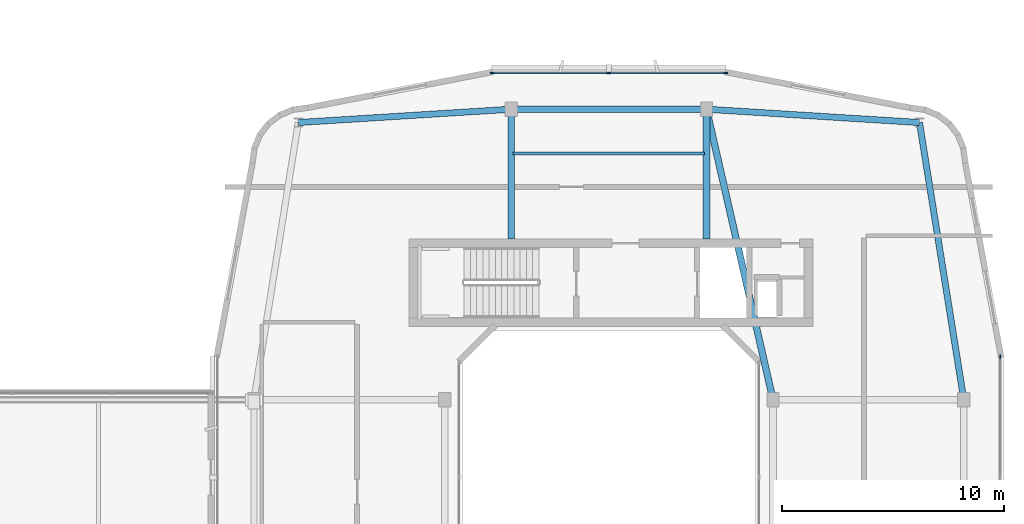
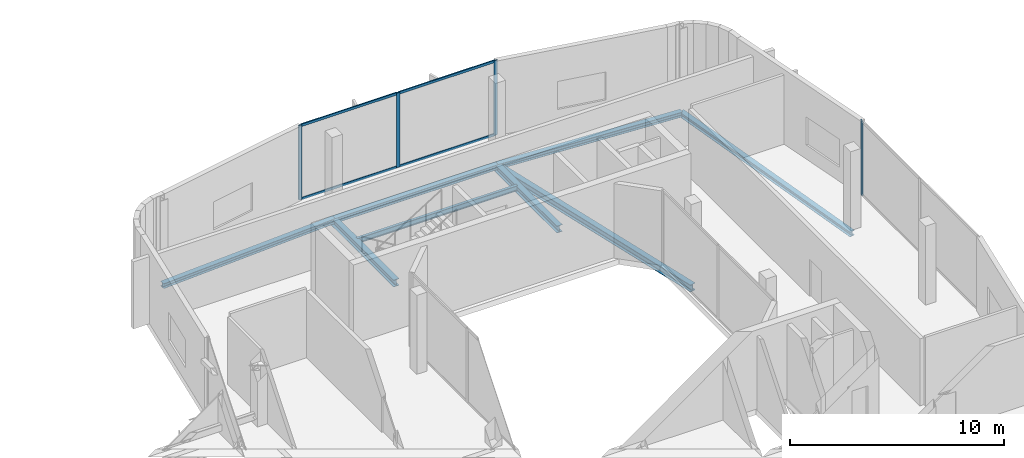
# One storey, part 11 of 24: 8 beams, 8 members, 2 elements without a shape of their own.
"""IFC4 building model written with IfcOpenShell, lengths in metres."""

from ifc_helpers import new_model, si_unit, derived_unit, direction, frame, origin, origin_2d, place, context, subcontext, project, spatial, rectangle, i_section, extrude, material, layer, layer_set, material_profile, profile_set, type_object, element, aggregate, save


model = new_model("IFC4")

# Units and contexts
model_context = context("Model", 3, precision=1e-05, world=origin(), true_north=direction((0.0, 1.0)))
body_context = subcontext(model_context, "Body", "Model", "MODEL_VIEW")
ifc_project = project(units=[si_unit("LENGTHUNIT", "METRE"), si_unit("AREAUNIT", "SQUARE_METRE"), si_unit("VOLUMEUNIT", "CUBIC_METRE"), si_unit("PLANEANGLEUNIT", "RADIAN"), si_unit("MASSUNIT", "GRAM", prefix="KILO"), derived_unit("THERMALTRANSMITTANCEUNIT", [(si_unit("POWERUNIT", "WATT"), 1), (si_unit("LENGTHUNIT", "METRE"), -2), (si_unit("THERMODYNAMICTEMPERATUREUNIT", "KELVIN"), -1)])], contexts=[model_context])

# Site, building, storey
site_placement = place(None, origin())
site = spatial("IfcSite", under=ifc_project, at=site_placement, CompositionType="ELEMENT")
building_placement = place(site_placement, origin())
building = spatial("IfcBuilding", under=site, at=building_placement, Name="Kivonza Crest Hotel", CompositionType="ELEMENT")
storey_placement = place(building_placement, frame((0.0, 0.0, 119.5)))
storey = spatial("IfcBuildingStorey", under=building, at=storey_placement, Name="L32", CompositionType="ELEMENT", Elevation=119.5)

# Beams
ifc_material_1 = material(Name="Steel S355", Category="steel")
ifc_material_profile_1 = material_profile(ifc_material_1, i_section(OverallWidth=0.280029296875, OverallDepth=0.280029296875, WebThickness=0.010498046875, FlangeThickness=0.01806640625, FilletRadius=0.02392578125, at=origin_2d()), Name="HEB 280")
ifc_profile_set_1 = profile_set([ifc_material_profile_1], Name="Steel S355")
beam_type_1 = type_object("IfcBeamType", Name="BM-HEB280", PredefinedType="SPANDREL", material=ifc_profile_set_1)
beam_1_placement = place(storey_placement, frame((93.0, 28.5, -0.4599609375), z_axis=(-0.157990501107, 0.987440631917, 0.0), x_axis=(-0.987440631917, -0.157990501107, 0.0)))
element("IfcBeam", 1, at=beam_1_placement, inside=storey, type_object=beam_type_1, Name="Companion Tower T2 L32 perimeter spandrel E2-NE", PredefinedType="SPANDREL", context=body_context, shape_type="SweptSolid", body=[
    extrude(i_section(OverallWidth=0.280029296875, OverallDepth=0.280029296875, WebThickness=0.010498046875, FlangeThickness=0.01806640625, FilletRadius=0.02392578125, at=origin_2d()), origin(), (0.0, 0.0, 1.0), 12.658935546875),
])
beam_2_placement = place(storey_placement, frame((91.0, 41.0, -0.4599609375), z_axis=(-0.998051985873, 0.062387767186, 0.0), x_axis=(-0.062387767186, -0.998051985873, 0.0)))
element("IfcBeam", 2, at=beam_2_placement, inside=storey, type_object=beam_type_1, Name="Companion Tower T2 L32 perimeter spandrel NE-N2", PredefinedType="SPANDREL", context=body_context, shape_type="SweptSolid", body=[
    extrude(i_section(OverallWidth=0.280029296875, OverallDepth=0.280029296875, WebThickness=0.010498046875, FlangeThickness=0.01806640625, FilletRadius=0.02392578125, at=origin_2d()), origin(), (0.0, 0.0, 1.0), 9.618896484375),
])
beam_3_placement = place(storey_placement, frame((81.39990234375, 41.60009765625, -0.4599609375), z_axis=(-1.0, 0.0, 0.0), x_axis=(0.0, -1.0, 0.0)))
element("IfcBeam", 3, at=beam_3_placement, inside=storey, type_object=beam_type_1, Name="Companion Tower T2 L32 perimeter spandrel N2-N1", PredefinedType="SPANDREL", context=body_context, shape_type="SweptSolid", body=[
    extrude(i_section(OverallWidth=0.280029296875, OverallDepth=0.280029296875, WebThickness=0.010498046875, FlangeThickness=0.01806640625, FilletRadius=0.02392578125, at=origin_2d()), origin(), (0.0, 0.0, 1.0), 8.7998046875),
])
beam_4_placement = place(storey_placement, frame((72.60009765625, 41.60009765625, -0.4599609375), z_axis=(-0.998051985873, -0.062387767186, 0.0), x_axis=(0.062387767186, -0.998051985873, 0.0)))
element("IfcBeam", 4, at=beam_4_placement, inside=storey, type_object=beam_type_1, Name="Companion Tower T2 L32 perimeter spandrel N1-NW", PredefinedType="SPANDREL", context=body_context, shape_type="SweptSolid", body=[
    extrude(i_section(OverallWidth=0.280029296875, OverallDepth=0.280029296875, WebThickness=0.010498046875, FlangeThickness=0.01806640625, FilletRadius=0.02392578125, at=origin_2d()), origin(), (0.0, 0.0, 1.0), 9.618896484375),
])
ifc_material_profile_2 = material_profile(ifc_material_1, i_section(OverallWidth=0.300048828125, OverallDepth=0.39990234375, WebThickness=0.013427734375, FlangeThickness=0.02392578125, FilletRadius=0.027099609375, at=origin_2d()), Name="HEB 400")
ifc_profile_set_2 = profile_set([ifc_material_profile_2], Name="Steel S355")
beam_type_2 = type_object("IfcBeamType", Name="BM-HEB400", PredefinedType="BEAM", material=ifc_profile_set_2)
beam_5_placement = place(storey_placement, frame((84.39990234375, 28.5, -0.52001953125), z_axis=(-0.223227287589, 0.974766422317, 0.0), x_axis=(-0.974766422317, -0.223227287589, 0.0)))
element("IfcBeam", 5, at=beam_5_placement, inside=storey, type_object=beam_type_2, Name="Companion Tower T2 L32 girder WR2-N2", PredefinedType="BEAM", context=body_context, shape_type="SweptSolid", body=[
    extrude(i_section(OverallWidth=0.300048828125, OverallDepth=0.39990234375, WebThickness=0.013427734375, FlangeThickness=0.02392578125, FilletRadius=0.027099609375, at=origin_2d()), origin(), (0.0, 0.0, 1.0), 13.439208984375),
])
for number, where, z_axis, x_axis, name in (
    (6, (72.60009765625, 41.60009765625, -0.52001953125), (0.0, -1.0, 0.0), (1.0, 0.0, 0.0), "Companion T2 L32 radial core girder RN1"),
    (7, (81.39990234375, 41.60009765625, -0.52001953125), (0.0, -1.0, 0.0), (1.0, 0.0, 0.0), "Companion T2 L32 radial core girder RN2"),
):
    element("IfcBeam", number, at=place(storey_placement, frame(where, z_axis=z_axis, x_axis=x_axis)), inside=storey, type_object=beam_type_2, Name=name, PredefinedType="BEAM", context=body_context, shape_type="SweptSolid", body=[
        extrude(i_section(OverallWidth=0.300048828125, OverallDepth=0.39990234375, WebThickness=0.013427734375, FlangeThickness=0.02392578125, FilletRadius=0.027099609375, at=origin_2d()), origin(), (0.0, 0.0, 1.0), 5.85009765625),
    ])
ifc_material_profile_3 = material_profile(ifc_material_1, i_section(OverallWidth=0.14990234375, OverallDepth=0.300048828125, WebThickness=0.007080078125, FlangeThickness=0.0107421875, FilletRadius=0.014892578125, at=origin_2d()), Name="IPE 300")
ifc_profile_set_3 = profile_set([ifc_material_profile_3], Name="Steel S355")
beam_type_3 = type_object("IfcBeamType", Name="BM-IPE300", PredefinedType="JOIST", material=ifc_profile_set_3)
beam_6_placement = place(storey_placement, frame((72.679931640625, 39.60009765625, -0.469970703125), z_axis=(1.0, 0.0, 0.0), x_axis=(0.0, 1.0, 0.0)))
element("IfcBeam", 8, at=beam_6_placement, inside=storey, type_object=beam_type_3, Name="Companion Tower T2 L32 North floor joist", PredefinedType="JOIST", context=body_context, shape_type="SweptSolid", body=[
    extrude(i_section(OverallWidth=0.14990234375, OverallDepth=0.300048828125, WebThickness=0.007080078125, FlangeThickness=0.0107421875, FilletRadius=0.014892578125, at=origin_2d()), origin(), (0.0, 0.0, 1.0), 8.64013671875),
])

# Curtain wall, member
ifc_material_2 = material(Name="Anodised bronze aluminium and low-E double glazing", Category="aluminium")
ifc_layer = layer(ifc_material_2, 0.179931640625)
ifc_layer_set = layer_set([ifc_layer], Name="Anodised bronze aluminium and low-E double glazing")
curtain_wall_type = type_object("IfcCurtainWallType", Name="CW-SYS-4", PredefinedType="NOTDEFINED", material=ifc_layer_set)
curtain_wall_1_placement = place(storey_placement, origin())
curtain_wall_1 = element("IfcCurtainWall", 9, at=curtain_wall_1_placement, inside=storey, type_object=curtain_wall_type, Name="L32 unitised curtain wall CW-T2-L32-17", PredefinedType="NOTDEFINED")
ifc_material_3 = material(Name="Anodised bronze aluminium", Category="aluminium")
ifc_material_profile_4 = material_profile(ifc_material_3, rectangle(XDim=0.06494140625, YDim=0.179931640625, at=origin_2d()), Name="CW-M 65x180")
ifc_profile_set_4 = profile_set([ifc_material_profile_4], Name="Anodised bronze aluminium")
member_type_1 = type_object("IfcMemberType", Name="CW-MUL-65x180", PredefinedType="MULLION", material=ifc_profile_set_4)
member_1_placement = place(storey_placement, frame((94.639892578125, 30.447509765625, 0.0), z_axis=(0.0, 0.0, 1.0), x_axis=(-1.0, 0.0, 0.0)))
member_1 = element("IfcMember", 10, at=member_1_placement, type_object=member_type_1, Name="CW-4 mullion 3", PredefinedType="MULLION", context=body_context, shape_type="SweptSolid", body=[
    extrude(rectangle(XDim=0.06494140625, YDim=0.179931640625, at=origin_2d()), origin(), (0.0, 0.0, 1.0), 4.25),
])
aggregate(curtain_wall_1, [member_1])

# Curtain wall, members
curtain_wall_2_placement = place(storey_placement, origin())
curtain_wall_2 = element("IfcCurtainWall", 11, at=curtain_wall_2_placement, inside=storey, type_object=curtain_wall_type, Name="L32 unitised curtain wall CW-T2-L32-26", PredefinedType="NOTDEFINED")
member_2_placement = place(storey_placement, frame((82.267578125, 43.239990234375, 0.0), z_axis=(0.0, 0.0, 1.0), x_axis=(0.0, -1.0, 0.0)))
member_2 = element("IfcMember", 12, at=member_2_placement, type_object=member_type_1, Name="CW-4 mullion 1", PredefinedType="MULLION", context=body_context, shape_type="SweptSolid", body=[
    extrude(rectangle(XDim=0.06494140625, YDim=0.179931640625, at=origin_2d()), origin(), (0.0, 0.0, 1.0), 4.25),
])
member_3_placement = place(storey_placement, frame((77.0, 43.239990234375, 0.0), z_axis=(0.0, 0.0, 1.0), x_axis=(0.0, -1.0, 0.0)))
member_3 = element("IfcMember", 13, at=member_3_placement, type_object=member_type_1, Name="CW-4 mullion 2", PredefinedType="MULLION", context=body_context, shape_type="SweptSolid", body=[
    extrude(rectangle(XDim=0.06494140625, YDim=0.179931640625, at=origin_2d()), origin(), (0.0, 0.0, 1.0), 4.25),
])
member_4_placement = place(storey_placement, frame((71.732421875, 43.239990234375, 0.0), z_axis=(0.0, 0.0, 1.0), x_axis=(0.0, -1.0, 0.0)))
member_4 = element("IfcMember", 14, at=member_4_placement, type_object=member_type_1, Name="CW-4 mullion 3", PredefinedType="MULLION", context=body_context, shape_type="SweptSolid", body=[
    extrude(rectangle(XDim=0.06494140625, YDim=0.179931640625, at=origin_2d()), origin(), (0.0, 0.0, 1.0), 4.25),
])
ifc_material_profile_5 = material_profile(ifc_material_3, rectangle(XDim=0.06494140625, YDim=0.139892578125, at=origin_2d()), Name="CW-T 65x140")
ifc_profile_set_5 = profile_set([ifc_material_profile_5], Name="Anodised bronze aluminium")
member_type_2 = type_object("IfcMemberType", Name="CW-TRN-65x140", PredefinedType="USERDEFINED", material=ifc_profile_set_5)
member_5_placement = place(storey_placement, frame((82.235107421875, 43.239990234375, 0.032470703125), z_axis=(-1.0, 0.0, 0.0), x_axis=(0.0, -1.0, 0.0)))
member_5 = element("IfcMember", 15, at=member_5_placement, type_object=member_type_2, Name="CW-4 transom 1.1", ObjectType="TRANSOM", PredefinedType="USERDEFINED", context=body_context, shape_type="SweptSolid", body=[
    extrude(rectangle(XDim=0.06494140625, YDim=0.139892578125, at=origin_2d()), origin(), (0.0, 0.0, 1.0), 5.20263671875),
])
member_6_placement = place(storey_placement, frame((82.235107421875, 43.239990234375, 4.217529296875), z_axis=(-1.0, 0.0, 0.0), x_axis=(0.0, -1.0, 0.0)))
member_6 = element("IfcMember", 16, at=member_6_placement, type_object=member_type_2, Name="CW-4 transom 1.2", ObjectType="TRANSOM", PredefinedType="USERDEFINED", context=body_context, shape_type="SweptSolid", body=[
    extrude(rectangle(XDim=0.06494140625, YDim=0.139892578125, at=origin_2d()), origin(), (0.0, 0.0, 1.0), 5.20263671875),
])
member_7_placement = place(storey_placement, frame((76.967529296875, 43.239990234375, 0.032470703125), z_axis=(-1.0, 0.0, 0.0), x_axis=(0.0, -1.0, 0.0)))
member_7 = element("IfcMember", 17, at=member_7_placement, type_object=member_type_2, Name="CW-4 transom 2.1", ObjectType="TRANSOM", PredefinedType="USERDEFINED", context=body_context, shape_type="SweptSolid", body=[
    extrude(rectangle(XDim=0.06494140625, YDim=0.139892578125, at=origin_2d()), origin(), (0.0, 0.0, 1.0), 5.20263671875),
])
member_8_placement = place(storey_placement, frame((76.967529296875, 43.239990234375, 4.217529296875), z_axis=(-1.0, 0.0, 0.0), x_axis=(0.0, -1.0, 0.0)))
member_8 = element("IfcMember", 18, at=member_8_placement, type_object=member_type_2, Name="CW-4 transom 2.2", ObjectType="TRANSOM", PredefinedType="USERDEFINED", context=body_context, shape_type="SweptSolid", body=[
    extrude(rectangle(XDim=0.06494140625, YDim=0.139892578125, at=origin_2d()), origin(), (0.0, 0.0, 1.0), 5.20263671875),
])
aggregate(curtain_wall_2, [member_2, member_3, member_4, member_5, member_6, member_7, member_8])

save(model, "model.ifc")
